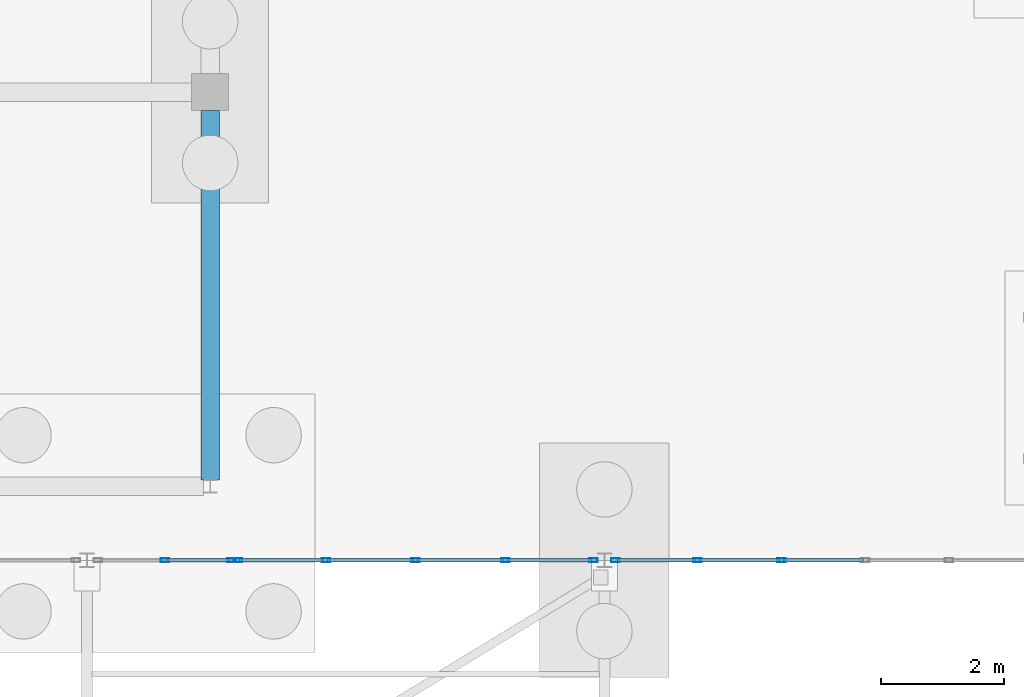
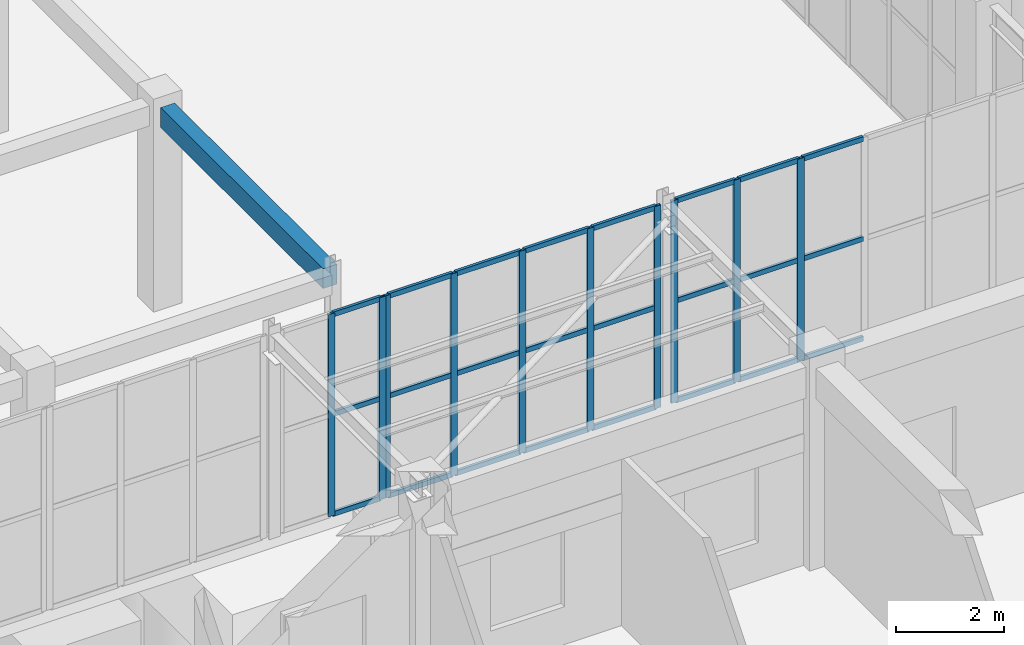
# One storey, part 58 of 192: 34 members, 1 beam, 3 elements without a shape of their own.
"""IFC4 building model written with IfcOpenShell, lengths in metres."""

import ifcopenshell
import ifcopenshell.guid

model = None  # the IFC model being written
_history = None  # IfcOwnerHistory: only IFC2X3 demands one
_inside = {}  # id of a spatial element -> (the spatial element, [elements in it])
_under = {}  # id of a project, library or spatial element -> (it, [spatial elements below it])
_declared = {}  # id of a project -> (the project, [libraries it declares])
_typed = {}  # id of a type object -> (the type object, [elements of that type])
_made_of = {}  # id of a material, layer set ... -> (it, [elements and type objects made of it])


def new_model(schema):
    """Start an empty IFC model of exactly this schema.

    Asked for "IFC4X3", IfcOpenShell would pick the latest addendum, in which some entities
    have other attributes; the version numbers below select the first issue.
    IFC2X3 requires an IfcOwnerHistory on every rooted entity: one is made here for all.
    """
    global model, _history
    if schema == "IFC4X3":
        model = ifcopenshell.file(schema_version=(4, 3, 0, 0))
    else:
        model = ifcopenshell.file(schema=schema)
    _inside.clear()
    _under.clear()
    _declared.clear()
    _typed.clear()
    _made_of.clear()
    _history = None
    if model.schema == "IFC2X3":
        org = make("IfcOrganization", Name="unknown")
        user = make(
            "IfcPersonAndOrganization",
            ThePerson=make("IfcPerson", FamilyName="unknown"),
            TheOrganization=org,
        )
        app = make(
            "IfcApplication",
            ApplicationDeveloper=org,
            Version="unknown",
            ApplicationFullName="unknown",
            ApplicationIdentifier="unknown",
        )
        _history = make(
            "IfcOwnerHistory",
            OwningUser=user,
            OwningApplication=app,
            ChangeAction="ADDED",
            CreationDate=0,
        )
    return model


def make(cls, **values):
    """One entity of the class cls with the attributes given. An attribute that is None is left unset."""
    return model.create_entity(
        cls, **{name: value for name, value in values.items() if value is not None}
    )


def rooted(cls, **values):
    """An entity with a GlobalId (a new one), such as an element, a storey or a relation."""
    return make(cls, GlobalId=ifcopenshell.guid.new(), OwnerHistory=_history, **values)


def si_unit(unit_type, name, prefix=None):
    """IfcSIUnit, for example si_unit("LENGTHUNIT", "METRE", prefix="MILLI")."""
    return make("IfcSIUnit", UnitType=unit_type, Prefix=prefix, Name=name)


def assignment(units):
    """IfcUnitAssignment: the units of a project."""
    return None if units is None else make("IfcUnitAssignment", Units=units)


def point(xyz):
    """IfcCartesianPoint."""
    return None if xyz is None else make("IfcCartesianPoint", Coordinates=xyz)


def direction(xyz):
    """IfcDirection."""
    return None if xyz is None else make("IfcDirection", DirectionRatios=xyz)


def frame(location, z_axis=None, x_axis=None):
    """IfcAxis2Placement3D, a coordinate frame: its origin and axes. An axis left out is left unset."""
    return make(
        "IfcAxis2Placement3D",
        Location=point(location),
        Axis=direction(z_axis),
        RefDirection=direction(x_axis),
    )


def frame_2d(location, x_axis=None):
    """IfcAxis2Placement2D, a coordinate frame in the plane: its origin and x axis."""
    return make(
        "IfcAxis2Placement2D", Location=point(location), RefDirection=direction(x_axis)
    )


def origin():
    """The frame at (0, 0, 0) with its axes left unset."""
    return frame((0.0, 0.0, 0.0))


def origin_2d():
    """The frame at (0, 0) in the plane with its x axis left unset."""
    return frame_2d((0.0, 0.0))


def place(relative_to, where):
    """IfcLocalPlacement: puts the frame where relative to a parent placement (None: the world)."""
    return make(
        "IfcLocalPlacement", PlacementRelTo=relative_to, RelativePlacement=where
    )


def context(
    kind, dimensions, precision=None, world=None, true_north=None, identifier=None
):
    """IfcGeometricRepresentationContext, for example the 3D "Model" context."""
    return make(
        "IfcGeometricRepresentationContext",
        ContextIdentifier=identifier,
        ContextType=kind,
        CoordinateSpaceDimension=dimensions,
        Precision=precision,
        WorldCoordinateSystem=world,
        TrueNorth=true_north,
    )


def subcontext(parent, identifier, kind, view, scale=None):
    """IfcGeometricRepresentationSubContext, for example "Body" below "Model"."""
    return make(
        "IfcGeometricRepresentationSubContext",
        ContextIdentifier=identifier,
        ContextType=kind,
        ParentContext=parent,
        TargetScale=scale,
        TargetView=view,
    )


def project(units=None, contexts=None):
    """IfcProject with its units and contexts."""
    return rooted(
        "IfcProject",
        Name="project",
        RepresentationContexts=contexts,
        UnitsInContext=assignment(units),
    )


def spatial(cls, under=None, at=None, **own):
    """A site, building, storey or space (cls), placed at a placement, below another one or the project."""
    s = rooted(cls, ObjectPlacement=at, **own)
    if under is not None:
        _under.setdefault(under.id(), (under, []))[1].append(s)
    return s


def profile(cls, at=None, kind="AREA", **sizes):
    """A parametric profile (cls). Its sizes go by their IFC names, for example OverallWidth=200.0."""
    return make(cls, ProfileType=kind, Position=at, **sizes)


def rectangle(**sizes):
    """IfcRectangleProfileDef."""
    return profile("IfcRectangleProfileDef", **sizes)


def hollow_rectangle(**sizes):
    """IfcRectangleHollowProfileDef."""
    return profile("IfcRectangleHollowProfileDef", **sizes)


def extrude(swept, where, along, depth):
    """IfcExtrudedAreaSolid: the profile swept, set in the frame where, extruded along a direction by depth."""
    return make(
        "IfcExtrudedAreaSolid",
        SweptArea=swept,
        Position=where,
        ExtrudedDirection=direction(along),
        Depth=depth,
    )


def shape(context_of_items, identifier, shape_type, items):
    """IfcShapeRepresentation: the items that make up one representation, for example the "Body"."""
    return make(
        "IfcShapeRepresentation",
        ContextOfItems=context_of_items,
        RepresentationIdentifier=identifier,
        RepresentationType=shape_type,
        Items=items,
    )


def material(Name=None, Category=None):
    """IfcMaterial."""
    return make("IfcMaterial", Name=Name, Category=Category)


def layer(
    of_material, thickness, ventilated=None, Name=None, Category=None, Priority=None
):
    """IfcMaterialLayer: one layer of a wall or slab, of a material (None: an air gap)."""
    return make(
        "IfcMaterialLayer",
        Material=of_material,
        LayerThickness=thickness,
        IsVentilated=ventilated,
        Name=Name,
        Category=Category,
        Priority=Priority,
    )


def layer_set(layers, Name=None):
    """IfcMaterialLayerSet."""
    return make("IfcMaterialLayerSet", MaterialLayers=layers, LayerSetName=Name)


def material_profile(
    of_material, cross_section, Name=None, Category=None, Priority=None
):
    """IfcMaterialProfile: a cross section and its material."""
    return make(
        "IfcMaterialProfile",
        Name=Name,
        Material=of_material,
        Profile=cross_section,
        Priority=Priority,
        Category=Category,
    )


def profile_set(profiles, Name=None, composite=None):
    """IfcMaterialProfileSet."""
    return make(
        "IfcMaterialProfileSet",
        Name=Name,
        MaterialProfiles=profiles,
        CompositeProfile=composite,
    )


def made_of(thing, what):
    """Note that an element or type object is made of a material, layer set ...; save() writes the relation."""
    if what is not None:
        _made_of.setdefault(what.id(), (what, []))[1].append(thing)
    return thing


def type_object(cls, material=None, **own):
    """A type object (cls), such as IfcWallType, which elements share."""
    return made_of(rooted(cls, **own), material)


def element(
    cls,
    number,
    at=None,
    inside=None,
    cuts=None,
    type_object=None,
    material=None,
    context=None,
    identifier="Body",
    shape_type=None,
    held_by="IfcProductDefinitionShape",
    body=None,
    shapes=None,
    **own,
):
    """One element of the class cls, such as IfcWall. Its Tag is "e" and its number.

    at: its placement. inside: the storey or other place that contains it. cuts: it is an
    opening in that element (IfcRelVoidsElement). A single representation is given by context,
    identifier, shape_type and body (its items); several are given by shapes. held_by: the class
    of the entity that holds the representations. save() writes the other relations.
    """
    e = rooted(cls, Tag="e%d" % number, ObjectPlacement=at, **own)
    if body is not None:
        shapes = [shape(context, identifier, shape_type, body)]
    if shapes is not None:
        e.Representation = make(held_by, Representations=shapes)
    if inside is not None:
        _inside.setdefault(inside.id(), (inside, []))[1].append(e)
    if cuts is not None:
        rooted(
            "IfcRelVoidsElement", RelatingBuildingElement=cuts, RelatedOpeningElement=e
        )
    if type_object is not None:
        _typed.setdefault(type_object.id(), (type_object, []))[1].append(e)
    return made_of(e, material)


def aggregate(whole, parts):
    """IfcRelAggregates: a whole, such as a stair, and the parts it consists of."""
    return rooted("IfcRelAggregates", RelatingObject=whole, RelatedObjects=parts)


def save(model, path):
    """Write the relations noted so far, then the file.

    IfcRelAggregates (storeys below a building ...), IfcRelContainedInSpatialStructure (elements
    in a storey), IfcRelDefinesByType, IfcRelAssociatesMaterial and IfcRelDeclares: one each for
    every whole, place, type object, material and project.
    """
    for whole, parts in _under.values():
        aggregate(whole, parts)
    for where, things in _inside.values():
        rooted(
            "IfcRelContainedInSpatialStructure",
            RelatedElements=things,
            RelatingStructure=where,
        )
    for kind, things in _typed.values():
        rooted("IfcRelDefinesByType", RelatedObjects=things, RelatingType=kind)
    for what, things in _made_of.values():
        rooted("IfcRelAssociatesMaterial", RelatedObjects=things, RelatingMaterial=what)
    for by, libraries in _declared.values():
        rooted("IfcRelDeclares", RelatingContext=by, RelatedDefinitions=libraries)
    model.write(path)


model = new_model("IFC4")

# Units and contexts
model_context = context("Model", 3, precision=1e-05, world=origin(), true_north=direction((0.0, 1.0)))
body_context = subcontext(model_context, "Body", "Model", "MODEL_VIEW")
ifc_project = project(units=[si_unit("LENGTHUNIT", "METRE"), si_unit("AREAUNIT", "SQUARE_METRE"), si_unit("VOLUMEUNIT", "CUBIC_METRE"), si_unit("PLANEANGLEUNIT", "RADIAN"), si_unit("MASSUNIT", "GRAM", prefix="KILO")], contexts=[model_context])

# Site, building, storey
site_placement = place(None, origin())
site = spatial("IfcSite", under=ifc_project, at=site_placement, CompositionType="ELEMENT")
building_placement = place(site_placement, origin())
building = spatial("IfcBuilding", under=site, at=building_placement, Name="Trelvath General Hospital", CompositionType="ELEMENT")
storey_placement = place(building_placement, origin())
storey = spatial("IfcBuildingStorey", under=building, at=storey_placement, Name="L00", CompositionType="ELEMENT", Elevation=0.0)

# Beam
ifc_material_1 = material(Name="Concrete C35/45", Category="concrete")
ifc_material_profile_1 = material_profile(ifc_material_1, rectangle(XDim=0.300048828125, YDim=0.449951171875, at=origin_2d()), Name="RCB300x450")
ifc_profile_set_1 = profile_set([ifc_material_profile_1], Name="Concrete C35/45")
beam_type = type_object("IfcBeamType", Name="Beam RC300x450", PredefinedType="BEAM", material=ifc_profile_set_1)
beam_placement = place(storey_placement, frame((60.800048828125, 32.10595703125, 4.3349609375), z_axis=(0.0, 1.0, 0.0), x_axis=(-1.0, 0.0, 0.0)))
element("IfcBeam", 1, at=beam_placement, inside=storey, type_object=beam_type, Name="Cube Interior Ring Beam CUBE-W-T0 L00", PredefinedType="BEAM", context=body_context, shape_type="SweptSolid", body=[
    extrude(rectangle(XDim=0.300048828125, YDim=0.449951171875, at=origin_2d()), origin(), (0.0, 0.0, 1.0), 5.998046875),
])

# Curtain wall, members
ifc_material_2 = material(Name="Anodised aluminium and low-E glass", Category="aluminium")
ifc_layer_1 = layer(ifc_material_2, 0.139892578125)
ifc_layer_set_1 = layer_set([ifc_layer_1], Name="Anodised aluminium and low-E glass")
curtain_wall_type_1 = type_object("IfcCurtainWallType", Name="CW CrystalCube 223 456 14", PredefinedType="USERDEFINED", material=ifc_layer_set_1)
curtain_wall_1_placement = place(storey_placement, origin())
curtain_wall_1 = element("IfcCurtainWall", 2, at=curtain_wall_1_placement, inside=storey, type_object=curtain_wall_type_1, Name="Crystal Cube Curtain Wall CUBE-W-T0 S3 L00", ObjectType="Unitised Glazed Curtain Wall", PredefinedType="USERDEFINED")
ifc_material_3 = material(Name="Anodised aluminium", Category="aluminium")
ifc_material_profile_2 = material_profile(ifc_material_3, hollow_rectangle(XDim=0.06005859375, YDim=0.139892578125, WallThickness=0.00390625, at=origin_2d()), Name="RHS60x140x4")
ifc_profile_set_2 = profile_set([ifc_material_profile_2], Name="Anodised aluminium")
member_type_1 = type_object("IfcMemberType", Name="CurtainMullion 60x140", PredefinedType="MULLION", material=ifc_profile_set_2)
member_1_placement = place(storey_placement, frame((61.14990234375, 30.800048828125, 0.0), z_axis=(0.0, 0.0, 1.0), x_axis=(0.0, -1.0, 0.0)))
member_1 = element("IfcMember", 3, at=member_1_placement, type_object=member_type_1, Name="CW-086 mullion 1", PredefinedType="MULLION", context=body_context, shape_type="SweptSolid", body=[
    extrude(hollow_rectangle(XDim=0.06005859375, YDim=0.139892578125, WallThickness=0.00390625, at=origin_2d()), origin(), (0.0, 0.0, 1.0), 4.56005859375),
])
member_2_placement = place(storey_placement, frame((60.06494140625, 30.800048828125, 0.0), z_axis=(0.0, 0.0, 1.0), x_axis=(0.0, -1.0, 0.0)))
member_2 = element("IfcMember", 4, at=member_2_placement, type_object=member_type_1, Name="CW-086 mullion 2", PredefinedType="MULLION", context=body_context, shape_type="SweptSolid", body=[
    extrude(hollow_rectangle(XDim=0.06005859375, YDim=0.139892578125, WallThickness=0.00390625, at=origin_2d()), origin(), (0.0, 0.0, 1.0), 4.56005859375),
])

ifc_material_4 = material(Name="Anodised aluminium and low-E glass", Category="aluminium")
ifc_layer_2 = layer(ifc_material_4, 0.139892578125)
ifc_layer_set_2 = layer_set([ifc_layer_2], Name="Anodised aluminium and low-E glass")
curtain_wall_type_2 = type_object("IfcCurtainWallType", Name="CW CrystalCube 583 456 14", PredefinedType="USERDEFINED", material=ifc_layer_set_2)
curtain_wall_2_placement = place(storey_placement, origin())
curtain_wall_2 = element("IfcCurtainWall", 5, at=curtain_wall_2_placement, inside=storey, type_object=curtain_wall_type_2, Name="Crystal Cube Curtain Wall CUBE-W-T0 S4 L00", ObjectType="Unitised Glazed Curtain Wall", PredefinedType="USERDEFINED")
member_3_placement = place(storey_placement, frame((67.02001953125, 30.800048828125, 0.0), z_axis=(0.0, 0.0, 1.0), x_axis=(0.0, -1.0, 0.0)))
member_3 = element("IfcMember", 6, at=member_3_placement, type_object=member_type_1, Name="CW-087 mullion 1", PredefinedType="MULLION", context=body_context, shape_type="SweptSolid", body=[
    extrude(hollow_rectangle(XDim=0.06005859375, YDim=0.139892578125, WallThickness=0.00390625, at=origin_2d()), origin(), (0.0, 0.0, 1.0), 4.56005859375),
])
member_4_placement = place(storey_placement, frame((65.592529296875, 30.800048828125, 0.0), z_axis=(0.0, 0.0, 1.0), x_axis=(0.0, -1.0, 0.0)))
member_4 = element("IfcMember", 7, at=member_4_placement, type_object=member_type_1, Name="CW-087 mullion 2", PredefinedType="MULLION", context=body_context, shape_type="SweptSolid", body=[
    extrude(hollow_rectangle(XDim=0.06005859375, YDim=0.139892578125, WallThickness=0.00390625, at=origin_2d()), origin(), (0.0, 0.0, 1.0), 4.56005859375),
])
member_5_placement = place(storey_placement, frame((64.135009765625, 30.800048828125, 0.0), z_axis=(0.0, 0.0, 1.0), x_axis=(0.0, -1.0, 0.0)))
member_5 = element("IfcMember", 8, at=member_5_placement, type_object=member_type_1, Name="CW-087 mullion 3", PredefinedType="MULLION", context=body_context, shape_type="SweptSolid", body=[
    extrude(hollow_rectangle(XDim=0.06005859375, YDim=0.139892578125, WallThickness=0.00390625, at=origin_2d()), origin(), (0.0, 0.0, 1.0), 4.56005859375),
])
member_6_placement = place(storey_placement, frame((62.677490234375, 30.800048828125, 0.0), z_axis=(0.0, 0.0, 1.0), x_axis=(0.0, -1.0, 0.0)))
member_6 = element("IfcMember", 9, at=member_6_placement, type_object=member_type_1, Name="CW-087 mullion 4", PredefinedType="MULLION", context=body_context, shape_type="SweptSolid", body=[
    extrude(hollow_rectangle(XDim=0.06005859375, YDim=0.139892578125, WallThickness=0.00390625, at=origin_2d()), origin(), (0.0, 0.0, 1.0), 4.56005859375),
])
member_7_placement = place(storey_placement, frame((61.25, 30.800048828125, 0.0), z_axis=(0.0, 0.0, 1.0), x_axis=(0.0, -1.0, 0.0)))
member_7 = element("IfcMember", 10, at=member_7_placement, type_object=member_type_1, Name="CW-087 mullion 5", PredefinedType="MULLION", context=body_context, shape_type="SweptSolid", body=[
    extrude(hollow_rectangle(XDim=0.06005859375, YDim=0.139892578125, WallThickness=0.00390625, at=origin_2d()), origin(), (0.0, 0.0, 1.0), 4.56005859375),
])

ifc_material_5 = material(Name="Anodised aluminium and low-E glass", Category="aluminium")
ifc_layer_3 = layer(ifc_material_5, 0.139892578125)
ifc_layer_set_3 = layer_set([ifc_layer_3], Name="Anodised aluminium and low-E glass")
curtain_wall_type_3 = type_object("IfcCurtainWallType", Name="CW CrystalCube 817 456 14", PredefinedType="USERDEFINED", material=ifc_layer_set_3)
curtain_wall_3_placement = place(storey_placement, origin())
curtain_wall_3 = element("IfcCurtainWall", 11, at=curtain_wall_3_placement, inside=storey, type_object=curtain_wall_type_3, Name="Crystal Cube Curtain Wall CUBE-W-T0 S5 L00", ObjectType="Unitised Glazed Curtain Wall", PredefinedType="USERDEFINED")
member_8_placement = place(storey_placement, frame((70.0732421875, 30.800048828125, 0.0), z_axis=(0.0, 0.0, 1.0), x_axis=(0.0, -1.0, 0.0)))
member_8 = element("IfcMember", 12, at=member_8_placement, type_object=member_type_1, Name="CW-088 mullion 5", PredefinedType="MULLION", context=body_context, shape_type="SweptSolid", body=[
    extrude(hollow_rectangle(XDim=0.06005859375, YDim=0.139892578125, WallThickness=0.00390625, at=origin_2d()), origin(), (0.0, 0.0, 1.0), 4.56005859375),
])
member_9_placement = place(storey_placement, frame((68.711669921875, 30.800048828125, 0.0), z_axis=(0.0, 0.0, 1.0), x_axis=(0.0, -1.0, 0.0)))
member_9 = element("IfcMember", 13, at=member_9_placement, type_object=member_type_1, Name="CW-088 mullion 6", PredefinedType="MULLION", context=body_context, shape_type="SweptSolid", body=[
    extrude(hollow_rectangle(XDim=0.06005859375, YDim=0.139892578125, WallThickness=0.00390625, at=origin_2d()), origin(), (0.0, 0.0, 1.0), 4.56005859375),
])
member_10_placement = place(storey_placement, frame((67.3798828125, 30.800048828125, 0.0), z_axis=(0.0, 0.0, 1.0), x_axis=(0.0, -1.0, 0.0)))
member_10 = element("IfcMember", 14, at=member_10_placement, type_object=member_type_1, Name="CW-088 mullion 7", PredefinedType="MULLION", context=body_context, shape_type="SweptSolid", body=[
    extrude(hollow_rectangle(XDim=0.06005859375, YDim=0.139892578125, WallThickness=0.00390625, at=origin_2d()), origin(), (0.0, 0.0, 1.0), 4.56005859375),
])

# Member
ifc_material_6 = material(Name="Anodised aluminium", Category="aluminium")
ifc_material_profile_3 = material_profile(ifc_material_6, hollow_rectangle(XDim=0.06005859375, YDim=0.110107421875, WallThickness=0.00390625, at=origin_2d()), Name="RHS60x110x4")
ifc_profile_set_3 = profile_set([ifc_material_profile_3], Name="Anodised aluminium")
member_type_2 = type_object("IfcMemberType", Name="CurtainTransom 60x110", PredefinedType="USERDEFINED", material=ifc_profile_set_3)
member_11_placement = place(storey_placement, frame((61.1201171875, 30.800048828125, 0.030029296875), z_axis=(-1.0, 0.0, 0.0), x_axis=(0.0, -1.0, 0.0)))
member_11 = element("IfcMember", 15, at=member_11_placement, type_object=member_type_2, Name="CW-086 transom 1.1", ObjectType="TRANSOM", PredefinedType="USERDEFINED", context=body_context, shape_type="SweptSolid", body=[
    extrude(hollow_rectangle(XDim=0.06005859375, YDim=0.110107421875, WallThickness=0.00390625, at=origin_2d()), origin(), (0.0, 0.0, 1.0), 1.025146484375),
])

member_12_placement = place(storey_placement, frame((61.1201171875, 30.800048828125, 2.280029296875), z_axis=(-1.0, 0.0, 0.0), x_axis=(0.0, -1.0, 0.0)))
member_12 = element("IfcMember", 16, at=member_12_placement, type_object=member_type_2, Name="CW-086 transom 1.2", ObjectType="TRANSOM", PredefinedType="USERDEFINED", context=body_context, shape_type="SweptSolid", body=[
    extrude(hollow_rectangle(XDim=0.06005859375, YDim=0.110107421875, WallThickness=0.00390625, at=origin_2d()), origin(), (0.0, 0.0, 1.0), 1.025146484375),
])

member_13_placement = place(storey_placement, frame((61.1201171875, 30.800048828125, 4.530029296875), z_axis=(-1.0, 0.0, 0.0), x_axis=(0.0, -1.0, 0.0)))
member_13 = element("IfcMember", 17, at=member_13_placement, type_object=member_type_2, Name="CW-086 transom 1.3", ObjectType="TRANSOM", PredefinedType="USERDEFINED", context=body_context, shape_type="SweptSolid", body=[
    extrude(hollow_rectangle(XDim=0.06005859375, YDim=0.110107421875, WallThickness=0.00390625, at=origin_2d()), origin(), (0.0, 0.0, 1.0), 1.025146484375),
])

aggregate(curtain_wall_1, [member_1, member_2, member_11, member_12, member_13])

member_14_placement = place(storey_placement, frame((66.989990234375, 30.800048828125, 0.030029296875), z_axis=(-1.0, 0.0, 0.0), x_axis=(0.0, -1.0, 0.0)))
member_14 = element("IfcMember", 18, at=member_14_placement, type_object=member_type_2, Name="CW-087 transom 1.1", ObjectType="TRANSOM", PredefinedType="USERDEFINED", context=body_context, shape_type="SweptSolid", body=[
    extrude(hollow_rectangle(XDim=0.06005859375, YDim=0.110107421875, WallThickness=0.00390625, at=origin_2d()), origin(), (0.0, 0.0, 1.0), 1.367431640625),
])

member_15_placement = place(storey_placement, frame((66.989990234375, 30.800048828125, 2.280029296875), z_axis=(-1.0, 0.0, 0.0), x_axis=(0.0, -1.0, 0.0)))
member_15 = element("IfcMember", 19, at=member_15_placement, type_object=member_type_2, Name="CW-087 transom 1.2", ObjectType="TRANSOM", PredefinedType="USERDEFINED", context=body_context, shape_type="SweptSolid", body=[
    extrude(hollow_rectangle(XDim=0.06005859375, YDim=0.110107421875, WallThickness=0.00390625, at=origin_2d()), origin(), (0.0, 0.0, 1.0), 1.367431640625),
])

member_16_placement = place(storey_placement, frame((66.989990234375, 30.800048828125, 4.530029296875), z_axis=(-1.0, 0.0, 0.0), x_axis=(0.0, -1.0, 0.0)))
member_16 = element("IfcMember", 20, at=member_16_placement, type_object=member_type_2, Name="CW-087 transom 1.3", ObjectType="TRANSOM", PredefinedType="USERDEFINED", context=body_context, shape_type="SweptSolid", body=[
    extrude(hollow_rectangle(XDim=0.06005859375, YDim=0.110107421875, WallThickness=0.00390625, at=origin_2d()), origin(), (0.0, 0.0, 1.0), 1.367431640625),
])

member_17_placement = place(storey_placement, frame((65.5625, 30.800048828125, 0.030029296875), z_axis=(-1.0, 0.0, 0.0), x_axis=(0.0, -1.0, 0.0)))
member_17 = element("IfcMember", 21, at=member_17_placement, type_object=member_type_2, Name="CW-087 transom 2.1", ObjectType="TRANSOM", PredefinedType="USERDEFINED", context=body_context, shape_type="SweptSolid", body=[
    extrude(hollow_rectangle(XDim=0.06005859375, YDim=0.110107421875, WallThickness=0.00390625, at=origin_2d()), origin(), (0.0, 0.0, 1.0), 1.3974609375),
])

member_18_placement = place(storey_placement, frame((65.5625, 30.800048828125, 2.280029296875), z_axis=(-1.0, 0.0, 0.0), x_axis=(0.0, -1.0, 0.0)))
member_18 = element("IfcMember", 22, at=member_18_placement, type_object=member_type_2, Name="CW-087 transom 2.2", ObjectType="TRANSOM", PredefinedType="USERDEFINED", context=body_context, shape_type="SweptSolid", body=[
    extrude(hollow_rectangle(XDim=0.06005859375, YDim=0.110107421875, WallThickness=0.00390625, at=origin_2d()), origin(), (0.0, 0.0, 1.0), 1.3974609375),
])

member_19_placement = place(storey_placement, frame((65.5625, 30.800048828125, 4.530029296875), z_axis=(-1.0, 0.0, 0.0), x_axis=(0.0, -1.0, 0.0)))
member_19 = element("IfcMember", 23, at=member_19_placement, type_object=member_type_2, Name="CW-087 transom 2.3", ObjectType="TRANSOM", PredefinedType="USERDEFINED", context=body_context, shape_type="SweptSolid", body=[
    extrude(hollow_rectangle(XDim=0.06005859375, YDim=0.110107421875, WallThickness=0.00390625, at=origin_2d()), origin(), (0.0, 0.0, 1.0), 1.3974609375),
])

member_20_placement = place(storey_placement, frame((64.10498046875, 30.800048828125, 0.030029296875), z_axis=(-1.0, 0.0, 0.0), x_axis=(0.0, -1.0, 0.0)))
member_20 = element("IfcMember", 24, at=member_20_placement, type_object=member_type_2, Name="CW-087 transom 3.1", ObjectType="TRANSOM", PredefinedType="USERDEFINED", context=body_context, shape_type="SweptSolid", body=[
    extrude(hollow_rectangle(XDim=0.06005859375, YDim=0.110107421875, WallThickness=0.00390625, at=origin_2d()), origin(), (0.0, 0.0, 1.0), 1.3974609375),
])

member_21_placement = place(storey_placement, frame((64.10498046875, 30.800048828125, 2.280029296875), z_axis=(-1.0, 0.0, 0.0), x_axis=(0.0, -1.0, 0.0)))
member_21 = element("IfcMember", 25, at=member_21_placement, type_object=member_type_2, Name="CW-087 transom 3.2", ObjectType="TRANSOM", PredefinedType="USERDEFINED", context=body_context, shape_type="SweptSolid", body=[
    extrude(hollow_rectangle(XDim=0.06005859375, YDim=0.110107421875, WallThickness=0.00390625, at=origin_2d()), origin(), (0.0, 0.0, 1.0), 1.3974609375),
])

member_22_placement = place(storey_placement, frame((64.10498046875, 30.800048828125, 4.530029296875), z_axis=(-1.0, 0.0, 0.0), x_axis=(0.0, -1.0, 0.0)))
member_22 = element("IfcMember", 26, at=member_22_placement, type_object=member_type_2, Name="CW-087 transom 3.3", ObjectType="TRANSOM", PredefinedType="USERDEFINED", context=body_context, shape_type="SweptSolid", body=[
    extrude(hollow_rectangle(XDim=0.06005859375, YDim=0.110107421875, WallThickness=0.00390625, at=origin_2d()), origin(), (0.0, 0.0, 1.0), 1.3974609375),
])

member_23_placement = place(storey_placement, frame((62.6474609375, 30.800048828125, 0.030029296875), z_axis=(-1.0, 0.0, 0.0), x_axis=(0.0, -1.0, 0.0)))
member_23 = element("IfcMember", 27, at=member_23_placement, type_object=member_type_2, Name="CW-087 transom 4.1", ObjectType="TRANSOM", PredefinedType="USERDEFINED", context=body_context, shape_type="SweptSolid", body=[
    extrude(hollow_rectangle(XDim=0.06005859375, YDim=0.110107421875, WallThickness=0.00390625, at=origin_2d()), origin(), (0.0, 0.0, 1.0), 1.367431640625),
])

member_24_placement = place(storey_placement, frame((62.6474609375, 30.800048828125, 2.280029296875), z_axis=(-1.0, 0.0, 0.0), x_axis=(0.0, -1.0, 0.0)))
member_24 = element("IfcMember", 28, at=member_24_placement, type_object=member_type_2, Name="CW-087 transom 4.2", ObjectType="TRANSOM", PredefinedType="USERDEFINED", context=body_context, shape_type="SweptSolid", body=[
    extrude(hollow_rectangle(XDim=0.06005859375, YDim=0.110107421875, WallThickness=0.00390625, at=origin_2d()), origin(), (0.0, 0.0, 1.0), 1.367431640625),
])

member_25_placement = place(storey_placement, frame((62.6474609375, 30.800048828125, 4.530029296875), z_axis=(-1.0, 0.0, 0.0), x_axis=(0.0, -1.0, 0.0)))
member_25 = element("IfcMember", 29, at=member_25_placement, type_object=member_type_2, Name="CW-087 transom 4.3", ObjectType="TRANSOM", PredefinedType="USERDEFINED", context=body_context, shape_type="SweptSolid", body=[
    extrude(hollow_rectangle(XDim=0.06005859375, YDim=0.110107421875, WallThickness=0.00390625, at=origin_2d()), origin(), (0.0, 0.0, 1.0), 1.367431640625),
])

aggregate(curtain_wall_2, [member_3, member_4, member_5, member_6, member_7, member_14, member_15, member_16, member_17, member_18, member_19, member_20, member_21, member_22, member_23, member_24, member_25])

member_26_placement = place(storey_placement, frame((71.405029296875, 30.800048828125, 0.030029296875), z_axis=(-1.0, 0.0, 0.0), x_axis=(0.0, -1.0, 0.0)))
member_26 = element("IfcMember", 30, at=member_26_placement, type_object=member_type_2, Name="CW-088 transom 4.1", ObjectType="TRANSOM", PredefinedType="USERDEFINED", context=body_context, shape_type="SweptSolid", body=[
    extrude(hollow_rectangle(XDim=0.06005859375, YDim=0.110107421875, WallThickness=0.00390625, at=origin_2d()), origin(), (0.0, 0.0, 1.0), 1.3017578125),
])

member_27_placement = place(storey_placement, frame((71.405029296875, 30.800048828125, 2.280029296875), z_axis=(-1.0, 0.0, 0.0), x_axis=(0.0, -1.0, 0.0)))
member_27 = element("IfcMember", 31, at=member_27_placement, type_object=member_type_2, Name="CW-088 transom 4.2", ObjectType="TRANSOM", PredefinedType="USERDEFINED", context=body_context, shape_type="SweptSolid", body=[
    extrude(hollow_rectangle(XDim=0.06005859375, YDim=0.110107421875, WallThickness=0.00390625, at=origin_2d()), origin(), (0.0, 0.0, 1.0), 1.3017578125),
])

member_28_placement = place(storey_placement, frame((71.405029296875, 30.800048828125, 4.530029296875), z_axis=(-1.0, 0.0, 0.0), x_axis=(0.0, -1.0, 0.0)))
member_28 = element("IfcMember", 32, at=member_28_placement, type_object=member_type_2, Name="CW-088 transom 4.3", ObjectType="TRANSOM", PredefinedType="USERDEFINED", context=body_context, shape_type="SweptSolid", body=[
    extrude(hollow_rectangle(XDim=0.06005859375, YDim=0.110107421875, WallThickness=0.00390625, at=origin_2d()), origin(), (0.0, 0.0, 1.0), 1.3017578125),
])

member_29_placement = place(storey_placement, frame((70.043212890625, 30.800048828125, 0.030029296875), z_axis=(-1.0, 0.0, 0.0), x_axis=(0.0, -1.0, 0.0)))
member_29 = element("IfcMember", 33, at=member_29_placement, type_object=member_type_2, Name="CW-088 transom 5.1", ObjectType="TRANSOM", PredefinedType="USERDEFINED", context=body_context, shape_type="SweptSolid", body=[
    extrude(hollow_rectangle(XDim=0.06005859375, YDim=0.110107421875, WallThickness=0.00390625, at=origin_2d()), origin(), (0.0, 0.0, 1.0), 1.301513671875),
])

member_30_placement = place(storey_placement, frame((70.043212890625, 30.800048828125, 2.280029296875), z_axis=(-1.0, 0.0, 0.0), x_axis=(0.0, -1.0, 0.0)))
member_30 = element("IfcMember", 34, at=member_30_placement, type_object=member_type_2, Name="CW-088 transom 5.2", ObjectType="TRANSOM", PredefinedType="USERDEFINED", context=body_context, shape_type="SweptSolid", body=[
    extrude(hollow_rectangle(XDim=0.06005859375, YDim=0.110107421875, WallThickness=0.00390625, at=origin_2d()), origin(), (0.0, 0.0, 1.0), 1.301513671875),
])

member_31_placement = place(storey_placement, frame((70.043212890625, 30.800048828125, 4.530029296875), z_axis=(-1.0, 0.0, 0.0), x_axis=(0.0, -1.0, 0.0)))
member_31 = element("IfcMember", 35, at=member_31_placement, type_object=member_type_2, Name="CW-088 transom 5.3", ObjectType="TRANSOM", PredefinedType="USERDEFINED", context=body_context, shape_type="SweptSolid", body=[
    extrude(hollow_rectangle(XDim=0.06005859375, YDim=0.110107421875, WallThickness=0.00390625, at=origin_2d()), origin(), (0.0, 0.0, 1.0), 1.301513671875),
])

member_32_placement = place(storey_placement, frame((68.681640625, 30.800048828125, 0.030029296875), z_axis=(-1.0, 0.0, 0.0), x_axis=(0.0, -1.0, 0.0)))
member_32 = element("IfcMember", 36, at=member_32_placement, type_object=member_type_2, Name="CW-088 transom 6.1", ObjectType="TRANSOM", PredefinedType="USERDEFINED", context=body_context, shape_type="SweptSolid", body=[
    extrude(hollow_rectangle(XDim=0.06005859375, YDim=0.110107421875, WallThickness=0.00390625, at=origin_2d()), origin(), (0.0, 0.0, 1.0), 1.271728515625),
])

member_33_placement = place(storey_placement, frame((68.681640625, 30.800048828125, 2.280029296875), z_axis=(-1.0, 0.0, 0.0), x_axis=(0.0, -1.0, 0.0)))
member_33 = element("IfcMember", 37, at=member_33_placement, type_object=member_type_2, Name="CW-088 transom 6.2", ObjectType="TRANSOM", PredefinedType="USERDEFINED", context=body_context, shape_type="SweptSolid", body=[
    extrude(hollow_rectangle(XDim=0.06005859375, YDim=0.110107421875, WallThickness=0.00390625, at=origin_2d()), origin(), (0.0, 0.0, 1.0), 1.271728515625),
])

member_34_placement = place(storey_placement, frame((68.681640625, 30.800048828125, 4.530029296875), z_axis=(-1.0, 0.0, 0.0), x_axis=(0.0, -1.0, 0.0)))
member_34 = element("IfcMember", 38, at=member_34_placement, type_object=member_type_2, Name="CW-088 transom 6.3", ObjectType="TRANSOM", PredefinedType="USERDEFINED", context=body_context, shape_type="SweptSolid", body=[
    extrude(hollow_rectangle(XDim=0.06005859375, YDim=0.110107421875, WallThickness=0.00390625, at=origin_2d()), origin(), (0.0, 0.0, 1.0), 1.271728515625),
])

aggregate(curtain_wall_3, [member_8, member_9, member_10, member_26, member_27, member_28, member_29, member_30, member_31, member_32, member_33, member_34])

save(model, "model.ifc")
